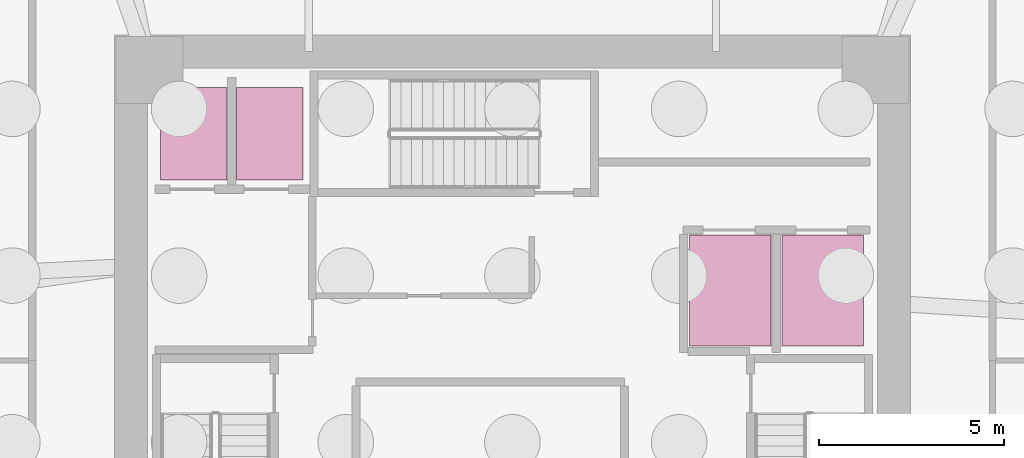
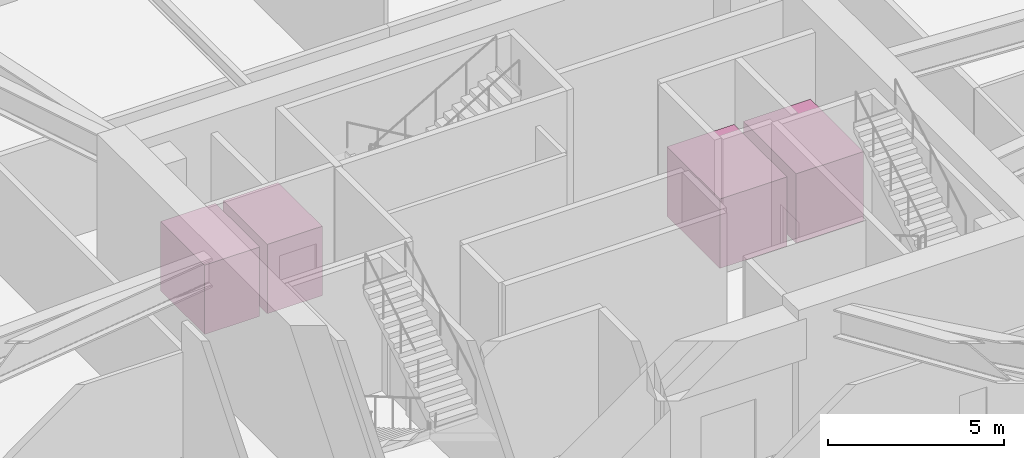
# One storey, part 8 of 8: 4 transport elements.
"""IFC4 building model written with IfcOpenShell, lengths in metres."""

from ifc_helpers import new_model, si_unit, direction, frame, origin, origin_2d, place, context, subcontext, project, spatial, rectangle, extrude, material, type_object, element, save


model = new_model("IFC4")

# Units and contexts
model_context = context("Model", 3, precision=1e-05, world=origin(), true_north=direction((0.0, 1.0)))
body_context = subcontext(model_context, "Body", "Model", "MODEL_VIEW")
ifc_project = project(units=[si_unit("LENGTHUNIT", "METRE"), si_unit("AREAUNIT", "SQUARE_METRE"), si_unit("VOLUMEUNIT", "CUBIC_METRE"), si_unit("PLANEANGLEUNIT", "RADIAN"), si_unit("MASSUNIT", "GRAM", prefix="KILO")], contexts=[model_context])

# Site, building, storey
site_placement = place(None, origin())
site = spatial("IfcSite", under=ifc_project, at=site_placement, CompositionType="ELEMENT")
building_placement = place(site_placement, origin())
building = spatial("IfcBuilding", under=site, at=building_placement, Name="Durnholm Broadcast Tower", CompositionType="ELEMENT")
storey_placement = place(building_placement, frame((0.0, 0.0, -10.0)))
storey = spatial("IfcBuildingStorey", under=building, at=storey_placement, Name="B02", CompositionType="ELEMENT", Elevation=-10.0)

# Transport elements
ifc_material_1 = material(Name="Fire-Rated Stainless Steel Stretcher Cab", Category="steel")
transport_element_type_1 = type_object("IfcTransportElementType", Name="LIFT-FSAE-1800", PredefinedType="ELEVATOR", material=ifc_material_1)
for number, where, z_axis, x_axis, name in (
    (1, (-6.550048828125, 6.074951171875, 0.0), (0.0, 0.0, 1.0), (1.0, 0.0, 0.0), "Elevator FSAE-1 cab"),
    (2, (-8.60009765625, 6.074951171875, 0.0), (0.0, 0.0, 1.0), (1.0, 0.0, 0.0), "Elevator FSAE-2 cab"),
):
    element("IfcTransportElement", number, at=place(storey_placement, frame(where, z_axis=z_axis, x_axis=x_axis)), inside=storey, type_object=transport_element_type_1, Name=name, PredefinedType="ELEVATOR", context=body_context, shape_type="SweptSolid", body=[
        extrude(rectangle(XDim=1.800048828125, YDim=2.5, at=origin_2d()), origin(), (0.0, 0.0, 1.0), 2.39990234375),
    ])
ifc_material_2 = material(Name="Heavy-Duty Broadcast Freight Elevator Cab", Category="steel")
transport_element_type_2 = type_object("IfcTransportElementType", Name="LIFT-SVL-2200", PredefinedType="ELEVATOR", material=ifc_material_2)
for number, where, z_axis, x_axis, name in (
    (3, (8.375, 1.85009765625, 0.0), (0.0, 0.0, 1.0), (1.0, 0.0, 0.0), "Elevator SVL-1 cab"),
    (4, (5.875, 1.85009765625, 0.0), (0.0, 0.0, 1.0), (1.0, 0.0, 0.0), "Elevator SVL-2 cab"),
):
    element("IfcTransportElement", number, at=place(storey_placement, frame(where, z_axis=z_axis, x_axis=x_axis)), inside=storey, type_object=transport_element_type_2, Name=name, PredefinedType="ELEVATOR", context=body_context, shape_type="SweptSolid", body=[
        extrude(rectangle(XDim=2.199951171875, YDim=3.0, at=origin_2d()), origin(), (0.0, 0.0, 1.0), 2.39990234375),
    ])

save(model, "model.ifc")
